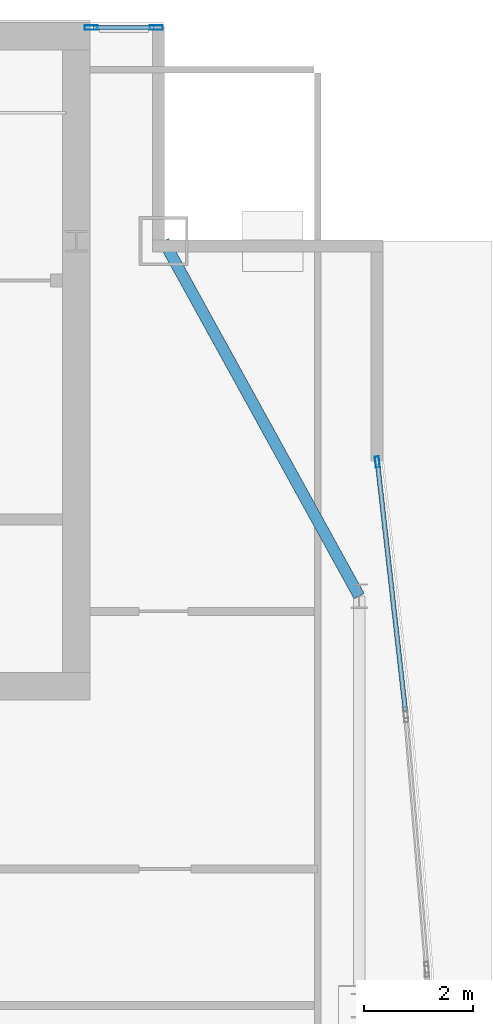
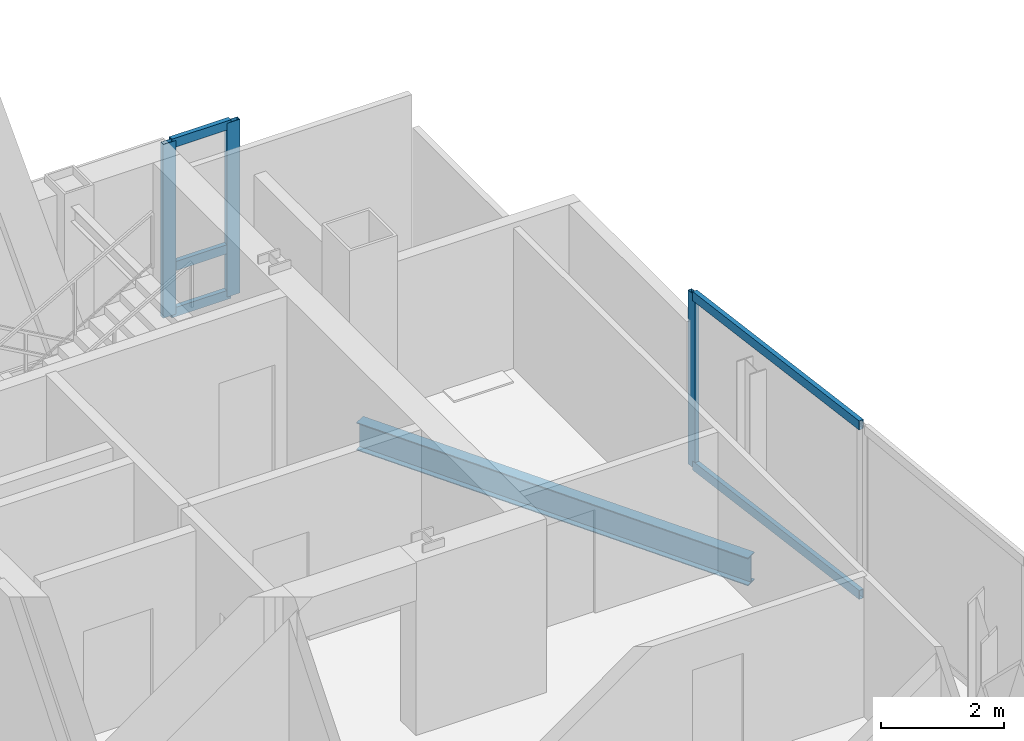
# One storey, part 20 of 28: 8 members, 1 beam, 2 elements without a shape of their own.
"""IFC4 building model written with IfcOpenShell, lengths in metres."""

from ifc_helpers import new_model, si_unit, direction, frame, origin, origin_2d, place, context, subcontext, project, spatial, hollow_rectangle, i_section, extrude, material, material_profile, profile_set, type_object, element, aggregate, save


model = new_model("IFC4")

# Units and contexts
model_context = context("Model", 3, precision=1e-05, world=origin(), true_north=direction((0.0, 1.0)))
body_context = subcontext(model_context, "Body", "Model", "MODEL_VIEW")
ifc_project = project(units=[si_unit("LENGTHUNIT", "METRE"), si_unit("AREAUNIT", "SQUARE_METRE"), si_unit("VOLUMEUNIT", "CUBIC_METRE"), si_unit("PLANEANGLEUNIT", "RADIAN"), si_unit("MASSUNIT", "GRAM", prefix="KILO")], contexts=[model_context])

# Site, building, storey
site_placement = place(None, origin())
site = spatial("IfcSite", under=ifc_project, at=site_placement, CompositionType="ELEMENT")
building_placement = place(site_placement, origin())
building = spatial("IfcBuilding", under=site, at=building_placement, Name="Khoronbel Lancet Exchange", CompositionType="ELEMENT")
storey_placement = place(building_placement, frame((0.0, 0.0, 291.39990234375)))
storey = spatial("IfcBuildingStorey", under=building, at=storey_placement, Name="L75", CompositionType="ELEMENT", Elevation=291.39990234375)

# Beam
ifc_material_1 = material(Name="Steel S355", Category="steel")
ifc_material_profile_1 = material_profile(ifc_material_1, i_section(OverallWidth=0.2099609375, OverallDepth=0.550048828125, WebThickness=0.010986328125, FlangeThickness=0.01708984375, at=origin_2d()), Name="IPE 550")
ifc_profile_set_1 = profile_set([ifc_material_profile_1], Name="Steel S355")
beam_type = type_object("IfcBeamType", Name="BM-BSP3", PredefinedType="SPANDREL", material=ifc_profile_set_1)
beam_placement = place(storey_placement, frame((61.6298828125, 43.199951171875, -0.434814453125), z_axis=(-0.482418808117, 0.875940690672, 0.0), x_axis=(-0.875940690672, -0.482418808117, 0.0)))
element("IfcBeam", 1, at=beam_placement, inside=storey, type_object=beam_type, Name="Level L75 perimeter spandrel beam SP13", PredefinedType="SPANDREL", context=body_context, shape_type="SweptSolid", body=[
    extrude(i_section(OverallWidth=0.2099609375, OverallDepth=0.550048828125, WebThickness=0.010986328125, FlangeThickness=0.01708984375, at=origin_2d()), origin(), (0.0, 0.0, 1.0), 7.420654296875),
])

# Curtain wall, members
ifc_material_2 = material(Name="Low-E Solar Control Insulating Glass", Category="glass")
curtain_wall_type_1 = type_object("IfcCurtainWallType", Name="CW-3", PredefinedType="NOTDEFINED", material=ifc_material_2)
curtain_wall_1_placement = place(storey_placement, origin())
curtain_wall_1 = element("IfcCurtainWall", 2, at=curtain_wall_1_placement, inside=storey, type_object=curtain_wall_type_1, Name="Unitised curtain wall CW-L75-NEFLK", PredefinedType="NOTDEFINED")
ifc_material_3 = material(Name="Bronze-Anodised Aluminium 6063-T6", Category="aluminium")
ifc_material_profile_2 = material_profile(ifc_material_3, hollow_rectangle(XDim=0.0849609375, YDim=0.239990234375, WallThickness=0.006103515625, at=origin_2d()), Name="ALU MULLION 85x240")
ifc_profile_set_2 = profile_set([ifc_material_profile_2], Name="Bronze-Anodised Aluminium 6063-T6")
member_type_1 = type_object("IfcMemberType", Name="MEM-CWM1", PredefinedType="MULLION", material=ifc_profile_set_2)
member_1_placement = place(storey_placement, frame((57.91748046875, 53.610107421875, 0.0), z_axis=(0.0, 0.0, 1.0), x_axis=(0.0, -1.0, 0.0)))
member_1 = element("IfcMember", 3, at=member_1_placement, type_object=member_type_1, Name="CW3 mullion 1", PredefinedType="MULLION", context=body_context, shape_type="SweptSolid", body=[
    extrude(hollow_rectangle(XDim=0.0849609375, YDim=0.239990234375, WallThickness=0.006103515625, at=origin_2d()), origin(), (0.0, 0.0, 1.0), 3.440185546875),
])
member_2_placement = place(storey_placement, frame((56.722412109375, 53.610107421875, 0.0), z_axis=(0.0, 0.0, 1.0), x_axis=(0.0, -1.0, 0.0)))
member_2 = element("IfcMember", 4, at=member_2_placement, type_object=member_type_1, Name="CW3 mullion 2", PredefinedType="MULLION", context=body_context, shape_type="SweptSolid", body=[
    extrude(hollow_rectangle(XDim=0.0849609375, YDim=0.239990234375, WallThickness=0.006103515625, at=origin_2d()), origin(), (0.0, 0.0, 1.0), 3.440185546875),
])

# Curtain wall, member
curtain_wall_type_2 = type_object("IfcCurtainWallType", Name="CW-4", PredefinedType="NOTDEFINED", material=ifc_material_2)
curtain_wall_2_placement = place(storey_placement, origin())
curtain_wall_2 = element("IfcCurtainWall", 5, at=curtain_wall_2_placement, inside=storey, type_object=curtain_wall_type_2, Name="Unitised curtain wall CW-L75-E17", PredefinedType="NOTDEFINED")
ifc_material_profile_3 = material_profile(ifc_material_3, hollow_rectangle(XDim=0.074951171875, YDim=0.199951171875, WallThickness=0.0048828125, at=origin_2d()), Name="ALU MULLION 75x200")
ifc_profile_set_3 = profile_set([ifc_material_profile_3], Name="Bronze-Anodised Aluminium 6063-T6")
member_type_2 = type_object("IfcMemberType", Name="MEM-CWM2", PredefinedType="MULLION", material=ifc_profile_set_3)
member_3_placement = place(storey_placement, frame((61.964111328125, 45.65771484375, 0.0), z_axis=(0.0, 0.0, 1.0), x_axis=(0.993731788903, 0.111790570813, 0.0)))
member_3 = element("IfcMember", 6, at=member_3_placement, type_object=member_type_2, Name="CW4 mullion 1", PredefinedType="MULLION", context=body_context, shape_type="SweptSolid", body=[
    extrude(hollow_rectangle(XDim=0.074951171875, YDim=0.199951171875, WallThickness=0.0048828125, at=origin_2d()), origin(), (0.0, 0.0, 1.0), 3.440185546875),
])

# Member
ifc_material_profile_4 = material_profile(ifc_material_3, hollow_rectangle(XDim=0.0849609375, YDim=0.179931640625, WallThickness=0.0048828125, at=origin_2d()), Name="ALU TRANSOM 85x180")
ifc_profile_set_4 = profile_set([ifc_material_profile_4], Name="Bronze-Anodised Aluminium 6063-T6")
member_type_3 = type_object("IfcMemberType", Name="MEM-CWT1", PredefinedType="USERDEFINED", material=ifc_profile_set_4)
member_4_placement = place(storey_placement, frame((57.875, 53.610107421875, 0.04248046875), z_axis=(-1.0, 0.0, 0.0), x_axis=(0.0, -1.0, 0.0)))
member_4 = element("IfcMember", 7, at=member_4_placement, type_object=member_type_3, Name="CW3 transom 1.1", ObjectType="TRANSOM", PredefinedType="USERDEFINED", context=body_context, shape_type="SweptSolid", body=[
    extrude(hollow_rectangle(XDim=0.0849609375, YDim=0.179931640625, WallThickness=0.0048828125, at=origin_2d()), origin(), (0.0, 0.0, 1.0), 1.110107421875),
])

member_5_placement = place(storey_placement, frame((57.875, 53.610107421875, 0.9501953125), z_axis=(-1.0, 0.0, 0.0), x_axis=(0.0, -1.0, 0.0)))
member_5 = element("IfcMember", 8, at=member_5_placement, type_object=member_type_3, Name="CW3 transom 1.2", ObjectType="TRANSOM", PredefinedType="USERDEFINED", context=body_context, shape_type="SweptSolid", body=[
    extrude(hollow_rectangle(XDim=0.0849609375, YDim=0.179931640625, WallThickness=0.0048828125, at=origin_2d()), origin(), (0.0, 0.0, 1.0), 1.110107421875),
])

member_6_placement = place(storey_placement, frame((57.875, 53.610107421875, 3.397705078125), z_axis=(-1.0, 0.0, 0.0), x_axis=(0.0, -1.0, 0.0)))
member_6 = element("IfcMember", 9, at=member_6_placement, type_object=member_type_3, Name="CW3 transom 1.3", ObjectType="TRANSOM", PredefinedType="USERDEFINED", context=body_context, shape_type="SweptSolid", body=[
    extrude(hollow_rectangle(XDim=0.0849609375, YDim=0.179931640625, WallThickness=0.0048828125, at=origin_2d()), origin(), (0.0, 0.0, 1.0), 1.110107421875),
])

aggregate(curtain_wall_1, [member_1, member_2, member_4, member_5, member_6])

member_7_placement = place(storey_placement, frame((61.968505859375, 45.620361328125, 0.04248046875), z_axis=(0.111774239585, -0.993733625961, 0.0), x_axis=(0.993733625961, 0.111774239585, 0.0)))
member_7 = element("IfcMember", 10, at=member_7_placement, type_object=member_type_3, Name="CW4 transom 1.1", ObjectType="TRANSOM", PredefinedType="USERDEFINED", context=body_context, shape_type="SweptSolid", body=[
    extrude(hollow_rectangle(XDim=0.0849609375, YDim=0.179931640625, WallThickness=0.0048828125, at=origin_2d()), origin(), (0.0, 0.0, 1.0), 4.5498046875),
])

member_8_placement = place(storey_placement, frame((61.968505859375, 45.620361328125, 3.397705078125), z_axis=(0.111774239585, -0.993733625961, 0.0), x_axis=(0.993733625961, 0.111774239585, 0.0)))
member_8 = element("IfcMember", 11, at=member_8_placement, type_object=member_type_3, Name="CW4 transom 1.2", ObjectType="TRANSOM", PredefinedType="USERDEFINED", context=body_context, shape_type="SweptSolid", body=[
    extrude(hollow_rectangle(XDim=0.0849609375, YDim=0.179931640625, WallThickness=0.0048828125, at=origin_2d()), origin(), (0.0, 0.0, 1.0), 4.5498046875),
])

aggregate(curtain_wall_2, [member_3, member_7, member_8])

save(model, "model.ifc")
